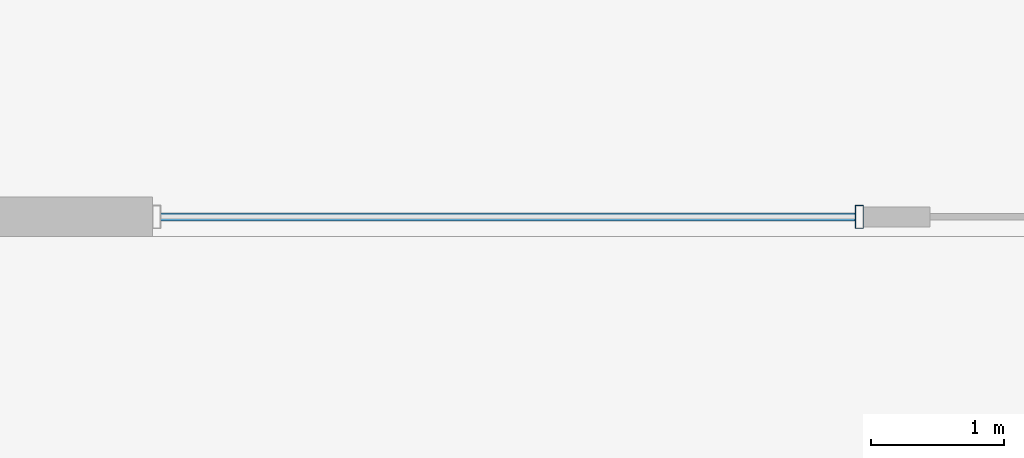
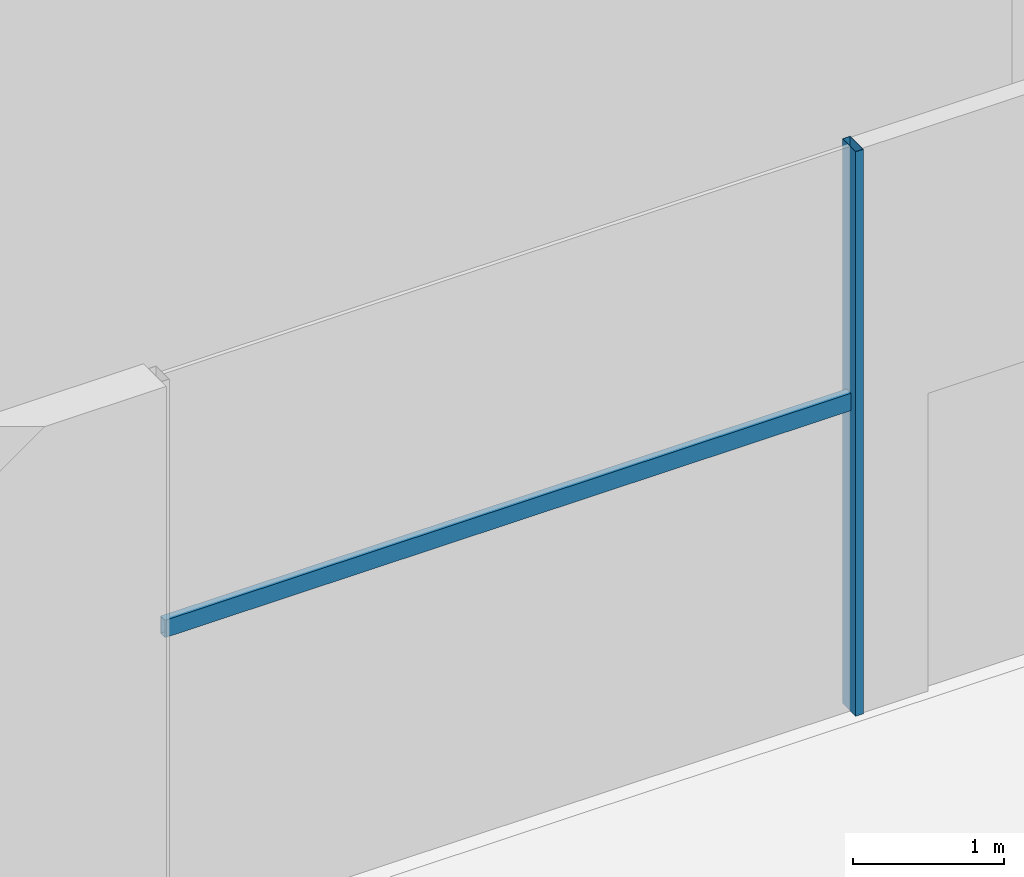
# One storey, part 6 of 49: 2 members, 1 element without a shape of its own.
"""IFC4 building model written with IfcOpenShell, lengths in metres."""

from ifc_helpers import new_model, si_unit, direction, frame, origin, origin_2d, place, context, subcontext, project, spatial, hollow_rectangle, extrude, material, material_profile, profile_set, type_object, element, aggregate, save


model = new_model("IFC4")

# Units and contexts
model_context = context("Model", 3, precision=1e-05, world=origin(), true_north=direction((0.0, 1.0)))
body_context = subcontext(model_context, "Body", "Model", "MODEL_VIEW")
ifc_project = project(units=[si_unit("LENGTHUNIT", "METRE"), si_unit("AREAUNIT", "SQUARE_METRE"), si_unit("VOLUMEUNIT", "CUBIC_METRE"), si_unit("PLANEANGLEUNIT", "RADIAN"), si_unit("MASSUNIT", "GRAM", prefix="KILO")], contexts=[model_context])

# Site, building, storey
site_placement = place(None, origin())
site = spatial("IfcSite", under=ifc_project, at=site_placement, CompositionType="ELEMENT")
building_placement = place(site_placement, origin())
building = spatial("IfcBuilding", under=site, at=building_placement, Name="Altepetl Exchange Towers", CompositionType="ELEMENT")
storey_placement = place(building_placement, frame((0.0, 0.0, 11.5)))
storey = spatial("IfcBuildingStorey", under=building, at=storey_placement, Name="L02 Exchange podium", CompositionType="ELEMENT", Elevation=11.5)

# Curtain wall, members
ifc_material_1 = material(Name="Aluminium 6063-T6 glazing", Category="aluminium")
curtain_wall_type = type_object("IfcCurtainWallType", Name="Podium storefront system", PredefinedType="NOTDEFINED", material=ifc_material_1)
curtain_wall_placement = place(storey_placement, origin())
curtain_wall = element("IfcCurtainWall", 1, at=curtain_wall_placement, inside=storey, type_object=curtain_wall_type, Name="CW5 run", PredefinedType="NOTDEFINED")
ifc_material_2 = material(Name="Aluminium 6063-T6", Category="aluminium")
ifc_material_profile_1 = material_profile(ifc_material_2, hollow_rectangle(XDim=0.06005859375, YDim=0.175048828125, WallThickness=0.0029296875, at=origin_2d()), Name="Mullion 60x175 aluminium")
ifc_profile_set_1 = profile_set([ifc_material_profile_1], Name="Aluminium 6063-T6")
member_type_1 = type_object("IfcMemberType", Name="Mullion 60x175 aluminium", PredefinedType="MULLION", material=ifc_profile_set_1)
member_1_placement = place(storey_placement, frame((68.320068359375, 18.14990234375, 0.0)))
member_1 = element("IfcMember", 2, at=member_1_placement, type_object=member_type_1, Name="MU4 mullion", PredefinedType="MULLION", context=body_context, shape_type="SweptSolid", body=[
    extrude(hollow_rectangle(XDim=0.06005859375, YDim=0.175048828125, WallThickness=0.0029296875, at=origin_2d()), origin(), (0.0, 0.0, 1.0), 4.550048828125),
])
ifc_material_profile_2 = material_profile(ifc_material_2, hollow_rectangle(XDim=0.06005859375, YDim=0.139892578125, WallThickness=0.0029296875, at=origin_2d()), Name="Transom 60x140 aluminium")
ifc_profile_set_2 = profile_set([ifc_material_profile_2], Name="Aluminium 6063-T6")
member_type_2 = type_object("IfcMemberType", Name="Transom 60x140 aluminium", PredefinedType="USERDEFINED", material=ifc_profile_set_2)
member_2_placement = place(storey_placement, frame((63.06005859375, 18.14990234375, 2.5), z_axis=(1.0, 0.0, 0.0), x_axis=(0.0, 1.0, 0.0)))
member_2 = element("IfcMember", 3, at=member_2_placement, type_object=member_type_2, Name="TR3 transom", ObjectType="TRANSOM", PredefinedType="USERDEFINED", context=body_context, shape_type="SweptSolid", body=[
    extrude(hollow_rectangle(XDim=0.06005859375, YDim=0.139892578125, WallThickness=0.0029296875, at=origin_2d()), origin(), (0.0, 0.0, 1.0), 5.22998046875),
])
aggregate(curtain_wall, [member_1, member_2])

save(model, "model.ifc")
